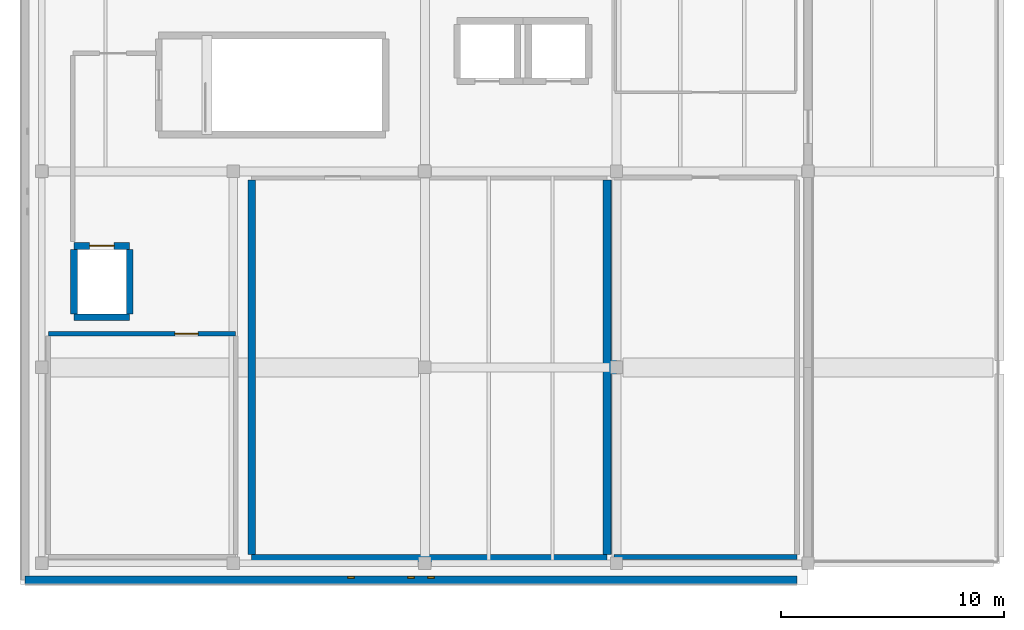
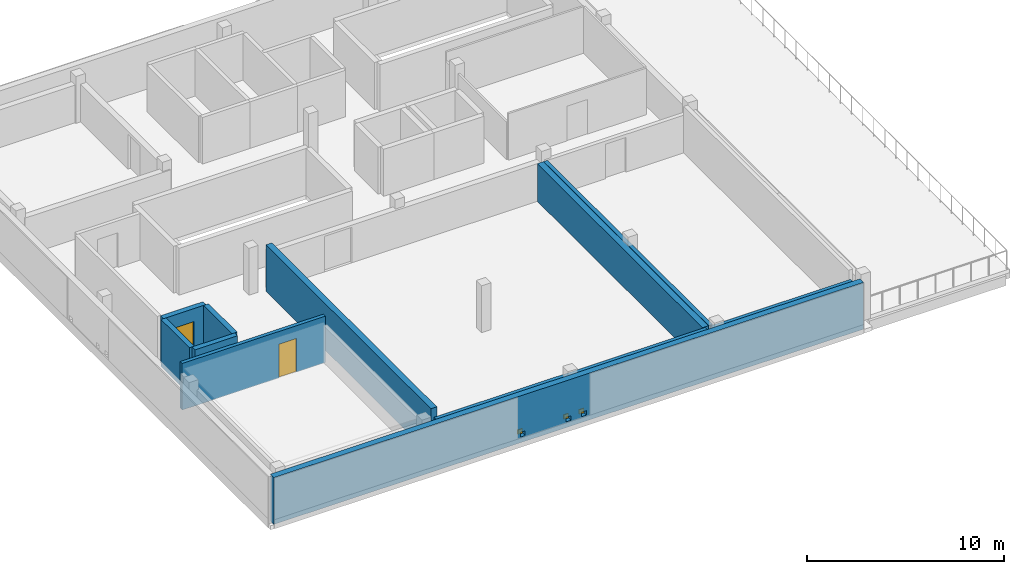
# One storey, part 2 of 6: 11 walls, 3 windows, 2 doors, 5 openings.
"""IFC4 building model written with IfcOpenShell, lengths in metres."""

from ifc_helpers import new_model, si_unit, direction, frame, frame_2d, origin, place, context, subcontext, project, spatial, rectangle, extrude, material, layer, layer_set, type_object, element, fill, save


model = new_model("IFC4")

# Units and contexts
model_context = context("Model", 3, precision=1e-05, world=origin(), true_north=direction((0.0, 1.0)))
body_context = subcontext(model_context, "Body", "Model", "MODEL_VIEW")
ifc_project = project(units=[si_unit("LENGTHUNIT", "METRE"), si_unit("AREAUNIT", "SQUARE_METRE"), si_unit("VOLUMEUNIT", "CUBIC_METRE"), si_unit("PLANEANGLEUNIT", "RADIAN"), si_unit("MASSUNIT", "GRAM", prefix="KILO")], contexts=[model_context])

# Site, building, storey
site_placement = place(None, origin())
site = spatial("IfcSite", under=ifc_project, at=site_placement, CompositionType="ELEMENT")
building_placement = place(site_placement, origin())
building = spatial("IfcBuilding", under=site, at=building_placement, Name="Varnakota Cinema and Media Centre", CompositionType="ELEMENT")
storey_placement = place(building_placement, frame((0.0, 0.0, 25.5)))
storey = spatial("IfcBuildingStorey", under=building, at=storey_placement, Name="L07", CompositionType="ELEMENT", Elevation=25.5)

# Wall, opening, door
ifc_material_1 = material(Name="Autoclaved aerated concrete blockwork", Category="masonry")
ifc_layer_1 = layer(ifc_material_1, 0.2099609375)
ifc_layer_set_1 = layer_set([ifc_layer_1], Name="Autoclaved aerated concrete blockwork")
wall_type_1 = type_object("IfcWallType", Name="W-ACOUST-210", PredefinedType="PARTITIONING", material=ifc_layer_set_1)
wall_1_placement = place(storey_placement, frame((0.294921875, 10.304931640625, 0.0), z_axis=(0.0, 0.0, 1.0), x_axis=(1.0, 0.0, 0.0)))
wall_1 = element("IfcWall", 1, at=wall_1_placement, inside=storey, type_object=wall_type_1, Name="L07 RWALL-RM-L07-EDIT7 N wall", PredefinedType="PARTITIONING", context=body_context, shape_type="SweptSolid", body=[
    extrude(rectangle(XDim=8.41015625, YDim=0.2099609375, at=frame_2d((4.205078125, 0.0))), origin(), (0.0, 0.0, 1.0), 2.889892578125),
])
opening_1_placement = place(wall_1_placement, frame((5.679931640625, 0.0, 0.0)))
opening_1 = element("IfcOpeningElement", 2, at=opening_1_placement, cuts=wall_1, Name="Opening D-120", PredefinedType="OPENING", context=body_context, shape_type="SweptSolid", body=[
    extrude(rectangle(XDim=1.050048828125, YDim=2.10009765625, at=frame_2d((0.52490234375, 1.050048828125))), frame((0.0, 0.10498046875, 0.0), z_axis=(0.0, -1.0, 0.0), x_axis=(1.0, 0.0, 0.0)), (0.0, 0.0, 1.0), 0.2099609375),
])
ifc_material_2 = material(Name="Thermally broken anodised aluminium AW-6063", Category="aluminium")
door_type_1 = type_object("IfcDoorType", Name="DR-STD-1050x2100", OperationType="NOTDEFINED", PredefinedType="DOOR", material=ifc_material_2)
door_1_placement = place(opening_1_placement, origin())
door_1 = element("IfcDoor", 3, at=door_1_placement, inside=storey, type_object=door_type_1, Name="L07 door D-120", OperationType="SINGLE_SWING_RIGHT", OverallHeight=2.10009765625, OverallWidth=1.050048828125, PredefinedType="DOOR", context=body_context, shape_type="SweptSolid", body=[
    extrude(rectangle(XDim=1.050048828125, YDim=2.10009765625, at=frame_2d((0.52490234375, 1.050048828125))), frame((0.0, 0.02490234375, 0.0), z_axis=(0.0, -1.0, 0.0), x_axis=(1.0, 0.0, 0.0)), (0.0, 0.0, 1.0), 0.050048828125),
])
fill(opening_1, door_1)

# Walls
ifc_material_3 = material(Name="Autoclaved aerated concrete blockwork", Category="masonry")
ifc_layer_2 = layer(ifc_material_3, 0.22998046875)
ifc_layer_set_2 = layer_set([ifc_layer_2], Name="Autoclaved aerated concrete blockwork")
wall_type_2 = type_object("IfcWallType", Name="W-BOX-230", PredefinedType="PARTITIONING", material=ifc_layer_set_2)
wall_2_placement = place(storey_placement, frame((33.9150390625, 0.284912109375, 0.0), z_axis=(0.0, 0.0, 1.0), x_axis=(-1.0, 0.0, 0.0)))
element("IfcWall", 4, at=wall_2_placement, inside=storey, type_object=wall_type_2, Name="L07 RWALL-RM-L07-DIRPREV S wall", PredefinedType="PARTITIONING", context=body_context, shape_type="SweptSolid", body=[
    extrude(rectangle(XDim=8.22998046875, YDim=0.22998046875, at=frame_2d((4.114990234375, 0.0))), origin(), (0.0, 0.0, 1.0), 2.300048828125),
])
wall_3_placement = place(storey_placement, frame((25.68505859375, 0.39990234375, 0.0), z_axis=(0.0, 0.0, 1.0), x_axis=(0.0, 1.0, 0.0)))
element("IfcWall", 5, at=wall_3_placement, inside=storey, type_object=wall_type_2, Name="L07 RWALL-RM-L07-DIRPREV W wall", PredefinedType="PARTITIONING", context=body_context, shape_type="SweptSolid", body=[
    extrude(rectangle(XDim=16.800048828125, YDim=0.22998046875, at=frame_2d((8.39990234375, 0.0))), origin(), (0.0, 0.0, 1.0), 2.340087890625),
])
ifc_material_4 = material(Name="Concrete M40", Category="concrete")
ifc_layer_3 = layer(ifc_material_4, 0.300048828125)
ifc_layer_set_3 = layer_set([ifc_layer_3], Name="Concrete M40")
wall_type_3 = type_object("IfcWallType", Name="W-CORE-300", PredefinedType="SHEAR", material=ifc_layer_set_3)
wall_4_placement = place(storey_placement, frame((3.949951171875, 11.050048828125, 0.0), z_axis=(0.0, 0.0, 1.0), x_axis=(-1.0, 0.0, 0.0)))
element("IfcWall", 6, at=wall_4_placement, inside=storey, type_object=wall_type_3, Name="L07 LSHAFT-LF-01-L07 S wall", PredefinedType="SHEAR", context=body_context, shape_type="SweptSolid", body=[
    extrude(rectangle(XDim=2.5, YDim=0.300048828125, at=frame_2d((1.25, 0.0))), origin(), (0.0, 0.0, 1.0), 2.909912109375),
])
wall_5_placement = place(storey_placement, frame((1.449951171875, 11.199951171875, 0.0), z_axis=(0.0, 0.0, 1.0), x_axis=(0.0, 1.0, 0.0)))
element("IfcWall", 7, at=wall_5_placement, inside=storey, type_object=wall_type_3, Name="L07 LSHAFT-LF-01-L07 W wall", PredefinedType="SHEAR", context=body_context, shape_type="SweptSolid", body=[
    extrude(rectangle(XDim=2.900146484375, YDim=0.300048828125, at=frame_2d((1.4501953125, 0.0))), origin(), (0.0, 0.0, 1.0), 2.909912109375),
])

# Wall, opening, door
wall_6_placement = place(storey_placement, frame((1.449951171875, 14.25, 0.0), z_axis=(0.0, 0.0, 1.0), x_axis=(1.0, 0.0, 0.0)))
wall_6 = element("IfcWall", 8, at=wall_6_placement, inside=storey, type_object=wall_type_3, Name="L07 LSHAFT-LF-01-L07 N wall", PredefinedType="SHEAR", context=body_context, shape_type="SweptSolid", body=[
    extrude(rectangle(XDim=2.5, YDim=0.300048828125, at=frame_2d((1.25, 0.0))), origin(), (0.0, 0.0, 1.0), 2.909912109375),
])
opening_2_placement = place(wall_6_placement, frame((0.699951171875, 0.0, 0.0)))
opening_2 = element("IfcOpeningElement", 9, at=opening_2_placement, cuts=wall_6, Name="Opening LD-01", PredefinedType="OPENING", context=body_context, shape_type="SweptSolid", body=[
    extrude(rectangle(XDim=1.10009765625, YDim=2.10009765625, at=frame_2d((0.550048828125, 1.050048828125))), frame((0.0, 0.14990234375, 0.0), z_axis=(0.0, -1.0, 0.0), x_axis=(1.0, 0.0, 0.0)), (0.0, 0.0, 1.0), 0.300048828125),
])
ifc_material_5 = material(Name="Thermally broken anodised aluminium AW-6063", Category="aluminium")
door_type_2 = type_object("IfcDoorType", Name="DR-LIFT-1100x2100", OperationType="SLIDING_TO_LEFT", PredefinedType="DOOR", material=ifc_material_5)
door_2_placement = place(opening_2_placement, origin())
door_2 = element("IfcDoor", 10, at=door_2_placement, inside=storey, type_object=door_type_2, Name="L07 door LD-01", OperationType="SLIDING_TO_LEFT", OverallHeight=2.10009765625, OverallWidth=1.10009765625, PredefinedType="DOOR", context=body_context, shape_type="SweptSolid", body=[
    extrude(rectangle(XDim=1.10009765625, YDim=2.10009765625, at=frame_2d((0.550048828125, 1.050048828125))), frame((0.0, 0.02490234375, 0.0), z_axis=(0.0, -1.0, 0.0), x_axis=(1.0, 0.0, 0.0)), (0.0, 0.0, 1.0), 0.050048828125),
])
fill(opening_2, door_2)

# Wall
wall_7_placement = place(storey_placement, frame((3.949951171875, 14.10009765625, 0.0), z_axis=(0.0, 0.0, 1.0), x_axis=(0.0, -1.0, 0.0)))
element("IfcWall", 11, at=wall_7_placement, inside=storey, type_object=wall_type_3, Name="L07 LSHAFT-LF-01-L07 E wall", PredefinedType="SHEAR", context=body_context, shape_type="SweptSolid", body=[
    extrude(rectangle(XDim=2.900146484375, YDim=0.300048828125, at=frame_2d((1.4501953125, 0.0))), origin(), (0.0, 0.0, 1.0), 2.909912109375),
])

# Wall, openings, windows
ifc_material_6 = material(Name="Pale Tandur limestone cladding", Category="masonry")
ifc_layer_4 = layer(ifc_material_6, 0.360107421875)
ifc_layer_set_4 = layer_set([ifc_layer_4], Name="Pale Tandur limestone cladding")
wall_type_4 = type_object("IfcWallType", Name="W-EXT-TANDUR-360", PredefinedType="SOLIDWALL", material=ifc_layer_set_4)
wall_8_placement = place(storey_placement, frame((33.89990234375, -0.739990234375, 0.0), z_axis=(0.0, 0.0, 1.0), x_axis=(-1.0, 0.0, 0.0)))
wall_8 = element("IfcWall", 12, at=wall_8_placement, inside=storey, type_object=wall_type_4, Name="L07 V4 pale Tandur stone monolith wall V4-S", PredefinedType="SOLIDWALL", context=body_context, shape_type="SweptSolid", body=[
    extrude(rectangle(XDim=34.639892578125, YDim=0.360107421875, at=frame_2d((17.31982421875, 0.0))), origin(), (0.0, 0.0, 1.0), 2.909912109375),
])
opening_3_placement = place(wall_8_placement, frame((16.280029296875, 0.0, 0.360107421875)))
opening_3 = element("IfcOpeningElement", 13, at=opening_3_placement, cuts=wall_8, Name="Opening WP15", PredefinedType="OPENING", context=body_context, shape_type="SweptSolid", body=[
    extrude(rectangle(XDim=0.280029296875, YDim=0.280029296875, at=frame_2d((0.14013671875, 0.14013671875))), frame((0.0, 0.18017578125, 0.0), z_axis=(0.0, -1.0, 0.0), x_axis=(1.0, 0.0, 0.0)), (0.0, 0.0, 1.0), 0.360107421875),
])
opening_4_placement = place(wall_8_placement, frame((17.179931640625, 0.0, 0.360107421875)))
opening_4 = element("IfcOpeningElement", 14, at=opening_4_placement, cuts=wall_8, Name="Opening WP15", PredefinedType="OPENING", context=body_context, shape_type="SweptSolid", body=[
    extrude(rectangle(XDim=0.280029296875, YDim=0.280029296875, at=frame_2d((0.14013671875, 0.14013671875))), frame((0.0, 0.18017578125, 0.0), z_axis=(0.0, -1.0, 0.0), x_axis=(1.0, 0.0, 0.0)), (0.0, 0.0, 1.0), 0.360107421875),
])
opening_5_placement = place(wall_8_placement, frame((19.8798828125, 0.0, 0.360107421875)))
opening_5 = element("IfcOpeningElement", 15, at=opening_5_placement, cuts=wall_8, Name="Opening WP15", PredefinedType="OPENING", context=body_context, shape_type="SweptSolid", body=[
    extrude(rectangle(XDim=0.280029296875, YDim=0.280029296875, at=frame_2d((0.14013671875, 0.14013671875))), frame((0.0, 0.18017578125, 0.0), z_axis=(0.0, -1.0, 0.0), x_axis=(1.0, 0.0, 0.0)), (0.0, 0.0, 1.0), 0.360107421875),
])
ifc_material_7 = material(Name="Laminated solar-control double glazing", Category="glass")
window_type = type_object("IfcWindowType", Name="WIN-PIERCE-15", PartitioningType="SINGLE_PANEL", PredefinedType="WINDOW", material=ifc_material_7)
window_1_placement = place(opening_3_placement, origin())
window_1 = element("IfcWindow", 16, at=window_1_placement, inside=storey, type_object=window_type, Name="L07 window WP15", OverallHeight=0.280029296875, OverallWidth=0.280029296875, PartitioningType="SINGLE_PANEL", PredefinedType="WINDOW", context=body_context, shape_type="SweptSolid", body=[
    extrude(rectangle(XDim=0.280029296875, YDim=0.280029296875, at=frame_2d((0.14013671875, 0.14013671875))), frame((0.0, -0.070068359375, 0.0), z_axis=(0.0, -1.0, 0.0), x_axis=(1.0, 0.0, 0.0)), (0.0, 0.0, 1.0), 0.06005859375),
])
fill(opening_3, window_1)
window_2_placement = place(opening_4_placement, origin())
window_2 = element("IfcWindow", 17, at=window_2_placement, inside=storey, type_object=window_type, Name="L07 window WP15", OverallHeight=0.280029296875, OverallWidth=0.280029296875, PartitioningType="SINGLE_PANEL", PredefinedType="WINDOW", context=body_context, shape_type="SweptSolid", body=[
    extrude(rectangle(XDim=0.280029296875, YDim=0.280029296875, at=frame_2d((0.14013671875, 0.14013671875))), frame((0.0, -0.070068359375, 0.0), z_axis=(0.0, -1.0, 0.0), x_axis=(1.0, 0.0, 0.0)), (0.0, 0.0, 1.0), 0.06005859375),
])
fill(opening_4, window_2)
window_3_placement = place(opening_5_placement, origin())
window_3 = element("IfcWindow", 18, at=window_3_placement, inside=storey, type_object=window_type, Name="L07 window WP15", OverallHeight=0.280029296875, OverallWidth=0.280029296875, PartitioningType="SINGLE_PANEL", PredefinedType="WINDOW", context=body_context, shape_type="SweptSolid", body=[
    extrude(rectangle(XDim=0.280029296875, YDim=0.280029296875, at=frame_2d((0.14013671875, 0.14013671875))), frame((0.0, -0.070068359375, 0.0), z_axis=(0.0, -1.0, 0.0), x_axis=(1.0, 0.0, 0.0)), (0.0, 0.0, 1.0), 0.06005859375),
])
fill(opening_5, window_3)

# Walls
ifc_material_8 = material(Name="Concrete M40", Category="concrete")
ifc_layer_5 = layer(ifc_material_8, 0.35009765625)
ifc_layer_set_5 = layer_set([ifc_layer_5], Name="Concrete M40")
wall_type_5 = type_object("IfcWallType", Name="W-SEP-350", PredefinedType="SOLIDWALL", material=ifc_layer_set_5)
wall_9_placement = place(storey_placement, frame((25.375, 0.22509765625, 0.0), z_axis=(0.0, 0.0, 1.0), x_axis=(-1.0, 0.0, 0.0)))
element("IfcWall", 19, at=wall_9_placement, inside=storey, type_object=wall_type_5, Name="L07 RWALL-RM-L07-CINE8 S wall", PredefinedType="SOLIDWALL", context=body_context, shape_type="SweptSolid", body=[
    extrude(rectangle(XDim=15.949951171875, YDim=0.35009765625, at=frame_2d((7.97509765625, 0.0))), origin(), (0.0, 0.0, 1.0), 2.300048828125),
])
wall_10_placement = place(storey_placement, frame((9.425048828125, 0.39990234375, 0.0), z_axis=(0.0, 0.0, 1.0), x_axis=(0.0, 1.0, 0.0)))
element("IfcWall", 20, at=wall_10_placement, inside=storey, type_object=wall_type_5, Name="L07 RWALL-RM-L07-CINE8 W wall", PredefinedType="SOLIDWALL", context=body_context, shape_type="SweptSolid", body=[
    extrude(rectangle(XDim=16.800048828125, YDim=0.35009765625, at=frame_2d((8.39990234375, 0.0))), origin(), (0.0, 0.0, 1.0), 2.889892578125),
])
wall_11_placement = place(storey_placement, frame((25.375, 17.199951171875, 0.0), z_axis=(0.0, 0.0, 1.0), x_axis=(0.0, -1.0, 0.0)))
element("IfcWall", 21, at=wall_11_placement, inside=storey, type_object=wall_type_5, Name="L07 RWALL-RM-L07-CINE8 E wall", PredefinedType="SOLIDWALL", context=body_context, shape_type="SweptSolid", body=[
    extrude(rectangle(XDim=16.800048828125, YDim=0.35009765625, at=frame_2d((8.39990234375, 0.0))), origin(), (0.0, 0.0, 1.0), 2.340087890625),
])

save(model, "model.ifc")
